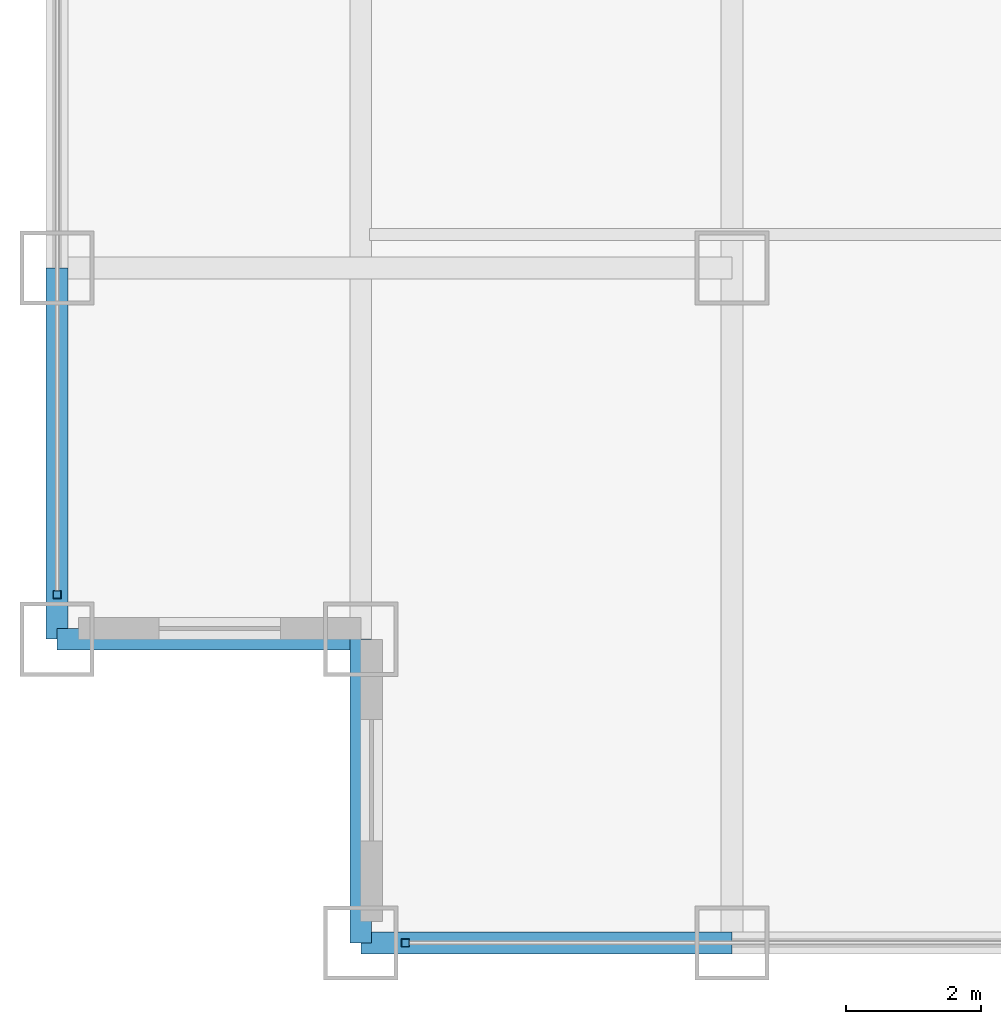
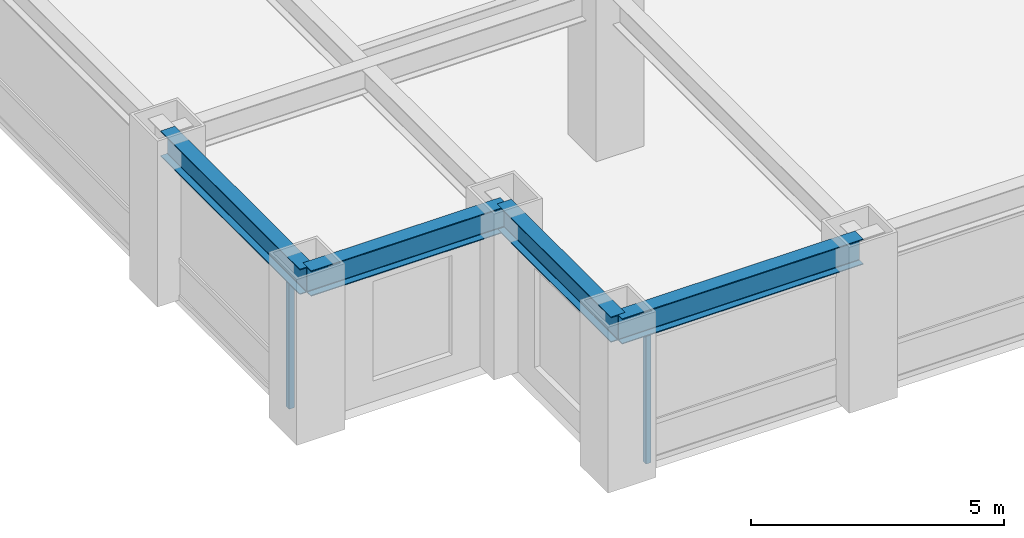
# One storey, part 2 of 24: 4 beams, 2 members, 2 elements without a shape of their own.
"""IFC4 building model written with IfcOpenShell, lengths in metres."""

from ifc_helpers import new_model, si_unit, direction, frame, origin, origin_2d, place, context, subcontext, project, spatial, hollow_rectangle, i_section, extrude, source, transform, mapped, material, material_profile, profile_set, type_object, element, aggregate, save


model = new_model("IFC4")

# Units and contexts
model_context = context("Model", 3, precision=1e-05, world=origin(), true_north=direction((0.0, 1.0)))
body_context = subcontext(model_context, "Body", "Model", "MODEL_VIEW")
ifc_project = project(units=[si_unit("LENGTHUNIT", "METRE"), si_unit("AREAUNIT", "SQUARE_METRE"), si_unit("VOLUMEUNIT", "CUBIC_METRE"), si_unit("PLANEANGLEUNIT", "RADIAN"), si_unit("MASSUNIT", "GRAM", prefix="KILO")], contexts=[model_context])

# Site, building, storey
site_placement = place(None, origin())
site = spatial("IfcSite", under=ifc_project, at=site_placement, CompositionType="ELEMENT")
building_placement = place(site_placement, origin())
building = spatial("IfcBuilding", under=site, at=building_placement, Name="Khorayat Bourse Tower", CompositionType="ELEMENT")
storey_placement = place(building_placement, frame((0.0, 0.0, 167.10009765625)))
storey = spatial("IfcBuildingStorey", under=building, at=storey_placement, Name="L38", CompositionType="ELEMENT", Elevation=167.10009765625)

# Beams
ifc_material_1 = material(Name="Steel ASTM A992 Grade 50", Category="steel")
ifc_material_profile_1 = material_profile(ifc_material_1, i_section(OverallWidth=0.324951171875, OverallDepth=0.615966796875, WebThickness=0.013916015625, FlangeThickness=0.021484375, FilletRadius=0.01611328125, at=origin_2d()), Name="W610X174")
ifc_profile_set_1 = profile_set([ifc_material_profile_1], Name="Steel ASTM A992 Grade 50")
beam_type = type_object("IfcBeamType", Name="BM-SPAN-610", PredefinedType="SPANDREL", material=ifc_profile_set_1)
shared_shape_1 = source(origin(), body_context, "Body", "SweptSolid", [
    extrude(i_section(OverallWidth=0.324951171875, OverallDepth=0.615966796875, WebThickness=0.013916015625, FlangeThickness=0.021484375, FilletRadius=0.01611328125, at=origin_2d()), origin(), (0.0, 0.0, 1.0), 5.5),
])
for number, where, z_axis, x_axis, name in (
    (1, (-25.5, -30.0, 3.471923828125), (1.0, 0.0, 0.0), (0.0, 1.0, 0.0), "L38 BM-SPAN-610 BM-L38-SPN-024"),
    (2, (-30.0, -25.5, 3.471923828125), (0.0, 1.0, 0.0), (-1.0, 0.0, 0.0), "L38 BM-SPAN-610 BM-L38-SPN-061"),
):
    element("IfcBeam", number, at=place(storey_placement, frame(where, z_axis=z_axis, x_axis=x_axis)), inside=storey, type_object=beam_type, Name=name, PredefinedType="SPANDREL", context=body_context, shape_type="MappedRepresentation", body=[
        mapped(shared_shape_1, transform((0.0, 0.0, 0.0), scale=1.0)),
    ])
shared_shape_2 = source(origin(), body_context, "Body", "SweptSolid", [
    extrude(i_section(OverallWidth=0.324951171875, OverallDepth=0.615966796875, WebThickness=0.013916015625, FlangeThickness=0.021484375, FilletRadius=0.01611328125, at=origin_2d()), origin(), (0.0, 0.0, 1.0), 4.5),
])
for number, where, z_axis, x_axis, name in (
    (3, (-30.0, -25.5, 3.471923828125), (1.0, 0.0, 0.0), (0.0, 1.0, 0.0), "L38 BM-SPAN-610 BM-L38-SPN-062"),
    (4, (-25.5, -30.0, 3.471923828125), (0.0, 1.0, 0.0), (-1.0, 0.0, 0.0), "L38 BM-SPAN-610 BM-L38-SPN-063"),
):
    element("IfcBeam", number, at=place(storey_placement, frame(where, z_axis=z_axis, x_axis=x_axis)), inside=storey, type_object=beam_type, Name=name, PredefinedType="SPANDREL", context=body_context, shape_type="MappedRepresentation", body=[
        mapped(shared_shape_2, transform((0.0, 0.0, 0.0), scale=1.0)),
    ])

# Curtain wall, member
ifc_material_2 = material(Name="Aluminium EN AW-6063 T6", Category="aluminium")
curtain_wall_type = type_object("IfcCurtainWallType", Name="CW-SYS-03", PredefinedType="NOTDEFINED", material=ifc_material_2)
curtain_wall_1_placement = place(storey_placement, origin())
curtain_wall_1 = element("IfcCurtainWall", 5, at=curtain_wall_1_placement, inside=storey, type_object=curtain_wall_type, Name="L38 Curtain Wall CW-L38-S1", PredefinedType="NOTDEFINED")
ifc_material_profile_2 = material_profile(ifc_material_2, hollow_rectangle(XDim=0.1201171875, YDim=0.1201171875, WallThickness=0.0048828125, at=origin_2d()), Name="ALU 120x120x5")
ifc_profile_set_2 = profile_set([ifc_material_profile_2], Name="Aluminium EN AW-6063 T6")
member_type = type_object("IfcMemberType", Name="CWM-VERT-120", PredefinedType="MULLION", material=ifc_profile_set_2)
shared_shape_3 = source(origin(), body_context, "Body", "SweptSolid", [
    extrude(hollow_rectangle(XDim=0.1201171875, YDim=0.1201171875, WallThickness=0.0048828125, at=origin_2d()), origin(), (0.0, 0.0, 1.0), 3.1298828125),
])
member_1_placement = place(storey_placement, frame((-24.840087890625, -30.0, 0.0), z_axis=(0.0, 0.0, 1.0), x_axis=(0.0, 1.0, 0.0)))
member_1 = element("IfcMember", 6, at=member_1_placement, type_object=member_type, Name="CW-L38-S1 Vertical Mullion 1", PredefinedType="MULLION", context=body_context, shape_type="MappedRepresentation", body=[
    mapped(shared_shape_3, transform((0.0, 0.0, 0.0), scale=1.0)),
])
aggregate(curtain_wall_1, [member_1])

curtain_wall_2_placement = place(storey_placement, origin())
curtain_wall_2 = element("IfcCurtainWall", 7, at=curtain_wall_2_placement, inside=storey, type_object=curtain_wall_type, Name="L38 Curtain Wall CW-L38-W1", PredefinedType="NOTDEFINED")
member_2_placement = place(storey_placement, frame((-30.0, -24.840087890625, 0.0), z_axis=(0.0, 0.0, 1.0), x_axis=(-1.0, 0.0, 0.0)))
member_2 = element("IfcMember", 8, at=member_2_placement, type_object=member_type, Name="CW-L38-W1 Vertical Mullion 1", PredefinedType="MULLION", context=body_context, shape_type="MappedRepresentation", body=[
    mapped(shared_shape_3, transform((0.0, 0.0, 0.0), scale=1.0)),
])
aggregate(curtain_wall_2, [member_2])

save(model, "model.ifc")
